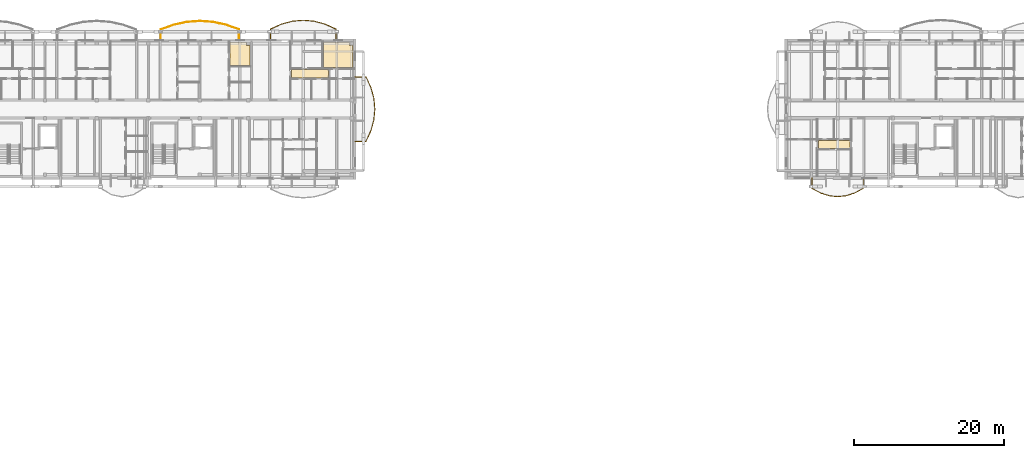
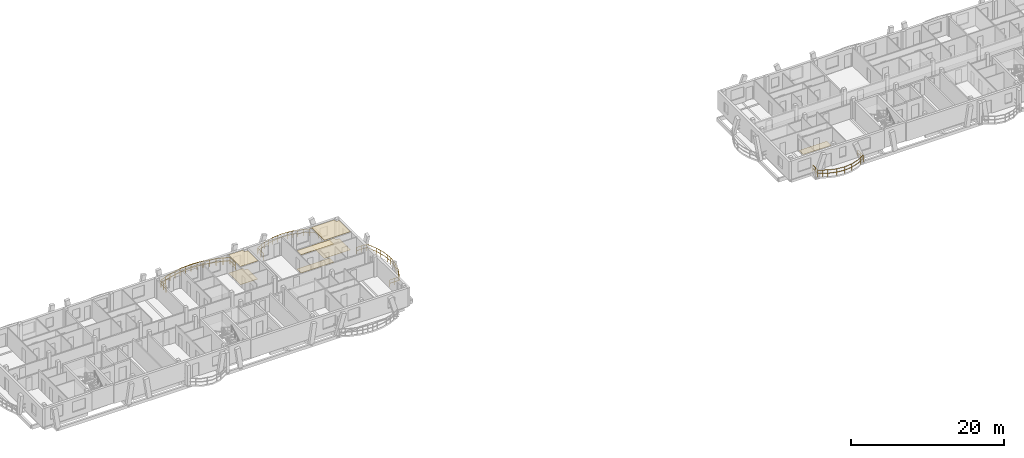
# One storey, part 45 of 52: 7 coverings, 4 railings.
"""IFC4 building model written with IfcOpenShell, lengths in metres."""

from ifc_helpers import new_model, si_unit, direction, frame, origin, origin_2d, place, context, subcontext, project, spatial, polyline, rectangle, outline, extrude, material, layer, layer_set, type_object, element, save


model = new_model("IFC4")

# Units and contexts
model_context = context("Model", 3, precision=1e-05, world=origin(), true_north=direction((0.0, 1.0)))
body_context = subcontext(model_context, "Body", "Model", "MODEL_VIEW")
ifc_project = project(units=[si_unit("LENGTHUNIT", "METRE"), si_unit("AREAUNIT", "SQUARE_METRE"), si_unit("VOLUMEUNIT", "CUBIC_METRE"), si_unit("PLANEANGLEUNIT", "RADIAN"), si_unit("MASSUNIT", "GRAM", prefix="KILO")], contexts=[model_context])

# Site, building, storey
site_placement = place(None, origin())
site = spatial("IfcSite", under=ifc_project, at=site_placement, CompositionType="ELEMENT")
building_placement = place(site_placement, origin())
building = spatial("IfcBuilding", under=site, at=building_placement, Name="Zavelmont Quarter", CompositionType="ELEMENT")
storey_placement = place(building_placement, frame((0.0, 0.0, 14.39990234375)))
storey = spatial("IfcBuildingStorey", under=building, at=storey_placement, Name="L04", CompositionType="ELEMENT", Elevation=14.39990234375)

# Coverings
ifc_material_1 = material(Name="Perforated acoustic gypsum board")
ifc_layer_1 = layer(ifc_material_1, 0.02490234375)
ifc_layer_set_1 = layer_set([ifc_layer_1], Name="Perforated acoustic gypsum board")
covering_type_1 = type_object("IfcCoveringType", Name="CV-CL01", PredefinedType="CEILING", material=ifc_layer_set_1)
covering_1_placement = place(storey_placement, frame((0.0, 0.0, 2.9150390625)))
element("IfcCovering", 1, at=covering_1_placement, inside=storey, type_object=covering_type_1, Name="L04 Single Bedroom acoustic ceiling", PredefinedType="CEILING", context=body_context, shape_type="SweptSolid", body=[
    extrude(outline(polyline([(38.530029296875, 115.719970703125), (40.695068359375, 115.719970703125), (40.695068359375, 115.294921875), (41.169921875, 115.294921875), (41.169921875, 112.6298828125), (38.530029296875, 112.6298828125), (38.530029296875, 115.719970703125)])), origin(), (0.0, 0.0, 1.0), 0.025146484375),
])
covering_2_placement = place(storey_placement, frame((0.0, 0.0, 2.9150390625)))
element("IfcCovering", 2, at=covering_2_placement, inside=storey, type_object=covering_type_1, Name="L04 Double Bedroom acoustic ceiling", PredefinedType="CEILING", context=body_context, shape_type="SweptSolid", body=[
    extrude(outline(polyline([(51.030029296875, 115.719970703125), (54.4951171875, 115.719970703125), (54.4951171875, 115.294921875), (54.969970703125, 115.294921875), (54.969970703125, 112.330078125), (51.030029296875, 112.330078125), (51.030029296875, 115.719970703125)])), origin(), (0.0, 0.0, 1.0), 0.025146484375),
])
ifc_material_2 = material(Name="Slatted European ash acoustic baffle ceiling")
ifc_layer_2 = layer(ifc_material_2, 0.0400390625)
ifc_layer_set_2 = layer_set([ifc_layer_2], Name="Slatted European ash acoustic baffle ceiling")
covering_type_2 = type_object("IfcCoveringType", Name="CV-CL02", PredefinedType="CEILING", material=ifc_layer_set_2)
covering_3_placement = place(storey_placement, frame((0.0, 0.0, 2.900146484375)))
element("IfcCovering", 3, at=covering_3_placement, inside=storey, type_object=covering_type_2, Name="L04 Apartment Hall acoustic ceiling", PredefinedType="CEILING", context=body_context, shape_type="SweptSolid", body=[
    extrude(outline(polyline([(46.72998046875, 112.070068359375), (51.669921875, 112.070068359375), (51.669921875, 110.97998046875), (46.72998046875, 110.97998046875), (46.72998046875, 112.070068359375)])), origin(), (0.0, 0.0, 1.0), 0.0400390625),
])
ifc_material_3 = material(Name="Engineered European oak parquet")
ifc_layer_3 = layer(ifc_material_3, 0.02197265625)
ifc_layer_set_3 = layer_set([ifc_layer_3], Name="Engineered European oak parquet")
covering_type_3 = type_object("IfcCoveringType", Name="CV-FL01", PredefinedType="FLOORING", material=ifc_layer_set_3)
covering_4_placement = place(storey_placement, origin())
element("IfcCovering", 4, at=covering_4_placement, inside=storey, type_object=covering_type_3, Name="L04 Single Bedroom floor finish", PredefinedType="FLOORING", context=body_context, shape_type="SweptSolid", body=[
    extrude(outline(polyline([(38.530029296875, 115.719970703125), (40.695068359375, 115.719970703125), (40.695068359375, 115.294921875), (41.169921875, 115.294921875), (41.169921875, 112.6298828125), (38.530029296875, 112.6298828125), (38.530029296875, 115.719970703125)])), origin(), (0.0, 0.0, 1.0), 0.022216796875),
])
covering_5_placement = place(storey_placement, origin())
element("IfcCovering", 5, at=covering_5_placement, inside=storey, type_object=covering_type_3, Name="L04 Double Bedroom floor finish", PredefinedType="FLOORING", context=body_context, shape_type="SweptSolid", body=[
    extrude(outline(polyline([(51.030029296875, 115.719970703125), (54.4951171875, 115.719970703125), (54.4951171875, 115.294921875), (54.969970703125, 115.294921875), (54.969970703125, 112.330078125), (51.030029296875, 112.330078125), (51.030029296875, 115.719970703125)])), origin(), (0.0, 0.0, 1.0), 0.022216796875),
])
ifc_material_4 = material(Name="Honed Belgian bluestone tile", Category="masonry")
ifc_layer_4 = layer(ifc_material_4, 0.030029296875)
ifc_layer_set_4 = layer_set([ifc_layer_4], Name="Honed Belgian bluestone tile")
covering_type_4 = type_object("IfcCoveringType", Name="CV-FL02", PredefinedType="FLOORING", material=ifc_layer_set_4)
covering_6_placement = place(storey_placement, origin())
element("IfcCovering", 6, at=covering_6_placement, inside=storey, type_object=covering_type_4, Name="L04 Apartment Hall floor finish", PredefinedType="FLOORING", context=body_context, shape_type="SweptSolid", body=[
    extrude(outline(polyline([(46.72998046875, 112.070068359375), (51.669921875, 112.070068359375), (51.669921875, 110.97998046875), (46.72998046875, 110.97998046875), (46.72998046875, 112.070068359375)])), origin(), (0.0, 0.0, 1.0), 0.030029296875),
])
covering_7_placement = place(storey_placement, origin())
element("IfcCovering", 7, at=covering_7_placement, inside=storey, type_object=covering_type_4, Name="L04 Apartment Hall floor finish", PredefinedType="FLOORING", context=body_context, shape_type="SweptSolid", body=[
    extrude(outline(polyline([(117.1298828125, 102.6201171875), (121.3701171875, 102.6201171875), (121.3701171875, 101.530029296875), (117.1298828125, 101.530029296875), (117.1298828125, 102.6201171875)])), origin(), (0.0, 0.0, 1.0), 0.030029296875),
])

# Railings
ifc_material_5 = material(Name="Powder-coated steel and tempered double safety glass", Category="steel")
railing_type = type_object("IfcRailingType", Name="RL-BAL1", PredefinedType="BALUSTRADE", material=ifc_material_5)
railing_1_placement = place(storey_placement, frame((39.734619140625, 116.02001953125, 0.0)))
element("IfcRailing", 8, at=railing_1_placement, inside=storey, type_object=railing_type, Name="L04 Block B curved balcony guard RL-BAL1", PredefinedType="BALUSTRADE", context=body_context, shape_type="SweptSolid", body=[
    extrude(rectangle(XDim=0.048095703125, YDim=0.048095703125, at=origin_2d()), frame((0.0, 0.0, 1.076171875), z_axis=(0.0, 1.0, 0.0), x_axis=(-1.0, 0.0, 0.0)), (0.0, 0.0, 1.0), 1.414794921875),
    extrude(rectangle(XDim=0.048095703125, YDim=0.048095703125, at=origin_2d()), frame((0.0, 0.0, 0.550048828125), z_axis=(0.0, 1.0, 0.0), x_axis=(-1.0, 0.0, 0.0)), (0.0, 0.0, 1.0), 1.414794921875),
    extrude(rectangle(XDim=0.048095703125, YDim=0.048095703125, at=origin_2d()), frame((0.0, 1.414794921875, 1.076171875), z_axis=(-0.941219365727, 0.33779595258, 0.0), x_axis=(-0.33779595258, -0.941219365727, 0.0)), (0.0, 0.0, 1.0), 1.853759765625),
    extrude(rectangle(XDim=0.048095703125, YDim=0.048095703125, at=origin_2d()), frame((0.0, 1.414794921875, 0.550048828125), z_axis=(-0.941219365727, 0.33779595258, 0.0), x_axis=(-0.33779595258, -0.941219365727, 0.0)), (0.0, 0.0, 1.0), 1.853759765625),
    extrude(rectangle(XDim=0.048095703125, YDim=0.048095703125, at=origin_2d()), frame((-1.744873046875, 2.041015625, 1.076171875), z_axis=(-0.977591742597, 0.210509821164, 0.0), x_axis=(-0.210509821164, -0.977591742597, 0.0)), (0.0, 0.0, 1.0), 1.784912109375),
    extrude(rectangle(XDim=0.048095703125, YDim=0.048095703125, at=origin_2d()), frame((-1.744873046875, 2.041015625, 0.550048828125), z_axis=(-0.977591742597, 0.210509821164, 0.0), x_axis=(-0.210509821164, -0.977591742597, 0.0)), (0.0, 0.0, 1.0), 1.784912109375),
    extrude(rectangle(XDim=0.048095703125, YDim=0.048095703125, at=origin_2d()), frame((-3.48974609375, 2.416748046875, 1.076171875), z_axis=(-0.997433844541, 0.071594174094, 0.0), x_axis=(-0.071594174094, -0.997433844541, 0.0)), (0.0, 0.0, 1.0), 1.749267578125),
    extrude(rectangle(XDim=0.048095703125, YDim=0.048095703125, at=origin_2d()), frame((-3.48974609375, 2.416748046875, 0.550048828125), z_axis=(-0.997433844541, 0.071594174094, 0.0), x_axis=(-0.071594174094, -0.997433844541, 0.0)), (0.0, 0.0, 1.0), 1.749267578125),
    extrude(rectangle(XDim=0.048095703125, YDim=0.048095703125, at=origin_2d()), frame((-5.234619140625, 2.5419921875, 1.076171875), z_axis=(-0.997433844541, -0.071594174094, 0.0), x_axis=(0.071594174094, -0.997433844541, 0.0)), (0.0, 0.0, 1.0), 1.749267578125),
    extrude(rectangle(XDim=0.048095703125, YDim=0.048095703125, at=origin_2d()), frame((-5.234619140625, 2.5419921875, 0.550048828125), z_axis=(-0.997433844541, -0.071594174094, 0.0), x_axis=(0.071594174094, -0.997433844541, 0.0)), (0.0, 0.0, 1.0), 1.749267578125),
    extrude(rectangle(XDim=0.048095703125, YDim=0.048095703125, at=origin_2d()), frame((-6.9794921875, 2.416748046875, 1.076171875), z_axis=(-0.977591742597, -0.210509821164, 0.0), x_axis=(0.210509821164, -0.977591742597, 0.0)), (0.0, 0.0, 1.0), 1.784912109375),
    extrude(rectangle(XDim=0.048095703125, YDim=0.048095703125, at=origin_2d()), frame((-6.9794921875, 2.416748046875, 0.550048828125), z_axis=(-0.977591742597, -0.210509821164, 0.0), x_axis=(0.210509821164, -0.977591742597, 0.0)), (0.0, 0.0, 1.0), 1.784912109375),
    extrude(rectangle(XDim=0.048095703125, YDim=0.048095703125, at=origin_2d()), frame((-8.724365234375, 2.041015625, 1.076171875), z_axis=(-0.941219365727, -0.33779595258, 0.0), x_axis=(0.33779595258, -0.941219365727, 0.0)), (0.0, 0.0, 1.0), 1.853759765625),
    extrude(rectangle(XDim=0.048095703125, YDim=0.048095703125, at=origin_2d()), frame((-8.724365234375, 2.041015625, 0.550048828125), z_axis=(-0.941219365727, -0.33779595258, 0.0), x_axis=(0.33779595258, -0.941219365727, 0.0)), (0.0, 0.0, 1.0), 1.853759765625),
    extrude(rectangle(XDim=0.048095703125, YDim=0.048095703125, at=origin_2d()), frame((-10.46923828125, 1.414794921875, 1.076171875), z_axis=(0.0, -1.0, 0.0), x_axis=(1.0, 0.0, 0.0)), (0.0, 0.0, 1.0), 1.414794921875),
    extrude(rectangle(XDim=0.048095703125, YDim=0.048095703125, at=origin_2d()), frame((-10.46923828125, 1.414794921875, 0.550048828125), z_axis=(0.0, -1.0, 0.0), x_axis=(1.0, 0.0, 0.0)), (0.0, 0.0, 1.0), 1.414794921875),
    extrude(rectangle(XDim=0.0419921875, YDim=0.0419921875, at=origin_2d()), origin(), (0.0, 0.0, 1.0), 1.052001953125),
    extrude(rectangle(XDim=0.0419921875, YDim=0.0419921875, at=origin_2d()), frame((0.0, 0.70751953125, 0.0)), (0.0, 0.0, 1.0), 1.052001953125),
    extrude(rectangle(XDim=0.0419921875, YDim=0.0419921875, at=origin_2d()), frame((0.0, 1.414794921875, 0.0)), (0.0, 0.0, 1.0), 1.052001953125),
    extrude(rectangle(XDim=0.0419921875, YDim=0.0419921875, at=origin_2d()), frame((-0.87255859375, 1.72802734375, 0.0)), (0.0, 0.0, 1.0), 1.052001953125),
    extrude(rectangle(XDim=0.0419921875, YDim=0.0419921875, at=origin_2d()), frame((-1.744873046875, 2.041015625, 0.0)), (0.0, 0.0, 1.0), 1.052001953125),
    extrude(rectangle(XDim=0.0419921875, YDim=0.0419921875, at=origin_2d()), frame((-2.6171875, 2.22900390625, 0.0)), (0.0, 0.0, 1.0), 1.052001953125),
    extrude(rectangle(XDim=0.0419921875, YDim=0.0419921875, at=origin_2d()), frame((-3.48974609375, 2.416748046875, 0.0)), (0.0, 0.0, 1.0), 1.052001953125),
    extrude(rectangle(XDim=0.0419921875, YDim=0.0419921875, at=origin_2d()), frame((-4.3623046875, 2.4794921875, 0.0)), (0.0, 0.0, 1.0), 1.052001953125),
    extrude(rectangle(XDim=0.0419921875, YDim=0.0419921875, at=origin_2d()), frame((-5.234619140625, 2.5419921875, 0.0)), (0.0, 0.0, 1.0), 1.052001953125),
    extrude(rectangle(XDim=0.0419921875, YDim=0.0419921875, at=origin_2d()), frame((-6.10693359375, 2.4794921875, 0.0)), (0.0, 0.0, 1.0), 1.052001953125),
    extrude(rectangle(XDim=0.0419921875, YDim=0.0419921875, at=origin_2d()), frame((-6.9794921875, 2.416748046875, 0.0)), (0.0, 0.0, 1.0), 1.052001953125),
    extrude(rectangle(XDim=0.0419921875, YDim=0.0419921875, at=origin_2d()), frame((-7.85205078125, 2.22900390625, 0.0)), (0.0, 0.0, 1.0), 1.052001953125),
    extrude(rectangle(XDim=0.0419921875, YDim=0.0419921875, at=origin_2d()), frame((-8.724365234375, 2.041015625, 0.0)), (0.0, 0.0, 1.0), 1.052001953125),
    extrude(rectangle(XDim=0.0419921875, YDim=0.0419921875, at=origin_2d()), frame((-9.5966796875, 1.72802734375, 0.0)), (0.0, 0.0, 1.0), 1.052001953125),
    extrude(rectangle(XDim=0.0419921875, YDim=0.0419921875, at=origin_2d()), frame((-10.46923828125, 1.414794921875, 0.0)), (0.0, 0.0, 1.0), 1.052001953125),
    extrude(rectangle(XDim=0.0419921875, YDim=0.0419921875, at=origin_2d()), frame((-10.46923828125, 0.70751953125, 0.0)), (0.0, 0.0, 1.0), 1.052001953125),
    extrude(rectangle(XDim=0.0419921875, YDim=0.0419921875, at=origin_2d()), frame((-10.46923828125, 0.0, 0.0)), (0.0, 0.0, 1.0), 1.052001953125),
])
railing_2_placement = place(storey_placement, frame((52.672119140625, 116.02001953125, 0.0)))
element("IfcRailing", 9, at=railing_2_placement, inside=storey, type_object=railing_type, Name="L04 Block B curved balcony guard RL-BAL1", PredefinedType="BALUSTRADE", context=body_context, shape_type="SweptSolid", body=[
    extrude(rectangle(XDim=0.048095703125, YDim=0.048095703125, at=origin_2d()), frame((0.0, 0.0, 1.076171875), z_axis=(0.0, 1.0, 0.0), x_axis=(-1.0, 0.0, 0.0)), (0.0, 0.0, 1.0), 1.4814453125),
    extrude(rectangle(XDim=0.048095703125, YDim=0.048095703125, at=origin_2d()), frame((0.0, 0.0, 0.550048828125), z_axis=(0.0, 1.0, 0.0), x_axis=(-1.0, 0.0, 0.0)), (0.0, 0.0, 1.0), 1.4814453125),
    extrude(rectangle(XDim=0.048095703125, YDim=0.048095703125, at=origin_2d()), frame((0.0, 1.4814453125, 1.076171875), z_axis=(-0.912064378285, 0.410047033721, 0.0), x_axis=(-0.410047033721, -0.912064378285, 0.0)), (0.0, 0.0, 1.0), 1.59814453125),
    extrude(rectangle(XDim=0.048095703125, YDim=0.048095703125, at=origin_2d()), frame((0.0, 1.4814453125, 0.550048828125), z_axis=(-0.912064378285, 0.410047033721, 0.0), x_axis=(-0.410047033721, -0.912064378285, 0.0)), (0.0, 0.0, 1.0), 1.59814453125),
    extrude(rectangle(XDim=0.048095703125, YDim=0.048095703125, at=origin_2d()), frame((-1.45751953125, 2.13671875, 1.076171875), z_axis=(-0.965495401256, 0.260420103204, 0.0), x_axis=(-0.260420103204, -0.965495401256, 0.0)), (0.0, 0.0, 1.0), 1.50927734375),
    extrude(rectangle(XDim=0.048095703125, YDim=0.048095703125, at=origin_2d()), frame((-1.45751953125, 2.13671875, 0.550048828125), z_axis=(-0.965495401256, 0.260420103204, 0.0), x_axis=(-0.260420103204, -0.965495401256, 0.0)), (0.0, 0.0, 1.0), 1.50927734375),
    extrude(rectangle(XDim=0.048095703125, YDim=0.048095703125, at=origin_2d()), frame((-2.914794921875, 2.52978515625, 1.076171875), z_axis=(-0.995977566521, 0.089602940731, 0.0), x_axis=(-0.089602940731, -0.995977566521, 0.0)), (0.0, 0.0, 1.0), 1.463134765625),
    extrude(rectangle(XDim=0.048095703125, YDim=0.048095703125, at=origin_2d()), frame((-2.914794921875, 2.52978515625, 0.550048828125), z_axis=(-0.995977566521, 0.089602940731, 0.0), x_axis=(-0.089602940731, -0.995977566521, 0.0)), (0.0, 0.0, 1.0), 1.463134765625),
    extrude(rectangle(XDim=0.048095703125, YDim=0.048095703125, at=origin_2d()), frame((-4.3720703125, 2.660888671875, 1.076171875), z_axis=(-0.995977566521, -0.089602940731, 0.0), x_axis=(0.089602940731, -0.995977566521, 0.0)), (0.0, 0.0, 1.0), 1.463134765625),
    extrude(rectangle(XDim=0.048095703125, YDim=0.048095703125, at=origin_2d()), frame((-4.3720703125, 2.660888671875, 0.550048828125), z_axis=(-0.995977566521, -0.089602940731, 0.0), x_axis=(0.089602940731, -0.995977566521, 0.0)), (0.0, 0.0, 1.0), 1.463134765625),
    extrude(rectangle(XDim=0.048095703125, YDim=0.048095703125, at=origin_2d()), frame((-5.829345703125, 2.52978515625, 1.076171875), z_axis=(-0.96550636846, -0.260379439401, 0.0), x_axis=(0.260379439401, -0.96550636846, 0.0)), (0.0, 0.0, 1.0), 1.509521484375),
    extrude(rectangle(XDim=0.048095703125, YDim=0.048095703125, at=origin_2d()), frame((-5.829345703125, 2.52978515625, 0.550048828125), z_axis=(-0.96550636846, -0.260379439401, 0.0), x_axis=(0.260379439401, -0.96550636846, 0.0)), (0.0, 0.0, 1.0), 1.509521484375),
    extrude(rectangle(XDim=0.048095703125, YDim=0.048095703125, at=origin_2d()), frame((-7.286865234375, 2.13671875, 1.076171875), z_axis=(-0.912038685612, -0.410104176945, 0.0), x_axis=(0.410104176945, -0.912038685612, 0.0)), (0.0, 0.0, 1.0), 1.597900390625),
    extrude(rectangle(XDim=0.048095703125, YDim=0.048095703125, at=origin_2d()), frame((-7.286865234375, 2.13671875, 0.550048828125), z_axis=(-0.912038685612, -0.410104176945, 0.0), x_axis=(0.410104176945, -0.912038685612, 0.0)), (0.0, 0.0, 1.0), 1.597900390625),
    extrude(rectangle(XDim=0.048095703125, YDim=0.048095703125, at=origin_2d()), frame((-8.744140625, 1.4814453125, 1.076171875), z_axis=(0.0, -1.0, 0.0), x_axis=(1.0, 0.0, 0.0)), (0.0, 0.0, 1.0), 1.4814453125),
    extrude(rectangle(XDim=0.048095703125, YDim=0.048095703125, at=origin_2d()), frame((-8.744140625, 1.4814453125, 0.550048828125), z_axis=(0.0, -1.0, 0.0), x_axis=(1.0, 0.0, 0.0)), (0.0, 0.0, 1.0), 1.4814453125),
    extrude(rectangle(XDim=0.0419921875, YDim=0.0419921875, at=origin_2d()), origin(), (0.0, 0.0, 1.0), 1.052001953125),
    extrude(rectangle(XDim=0.0419921875, YDim=0.0419921875, at=origin_2d()), frame((0.0, 0.74072265625, 0.0)), (0.0, 0.0, 1.0), 1.052001953125),
    extrude(rectangle(XDim=0.0419921875, YDim=0.0419921875, at=origin_2d()), frame((0.0, 1.4814453125, 0.0)), (0.0, 0.0, 1.0), 1.052001953125),
    extrude(rectangle(XDim=0.0419921875, YDim=0.0419921875, at=origin_2d()), frame((-0.728759765625, 1.80908203125, 0.0)), (0.0, 0.0, 1.0), 1.052001953125),
    extrude(rectangle(XDim=0.0419921875, YDim=0.0419921875, at=origin_2d()), frame((-1.45751953125, 2.13671875, 0.0)), (0.0, 0.0, 1.0), 1.052001953125),
    extrude(rectangle(XDim=0.0419921875, YDim=0.0419921875, at=origin_2d()), frame((-2.18603515625, 2.333251953125, 0.0)), (0.0, 0.0, 1.0), 1.052001953125),
    extrude(rectangle(XDim=0.0419921875, YDim=0.0419921875, at=origin_2d()), frame((-2.914794921875, 2.52978515625, 0.0)), (0.0, 0.0, 1.0), 1.052001953125),
    extrude(rectangle(XDim=0.0419921875, YDim=0.0419921875, at=origin_2d()), frame((-3.6435546875, 2.59521484375, 0.0)), (0.0, 0.0, 1.0), 1.052001953125),
    extrude(rectangle(XDim=0.0419921875, YDim=0.0419921875, at=origin_2d()), frame((-4.3720703125, 2.660888671875, 0.0)), (0.0, 0.0, 1.0), 1.052001953125),
    extrude(rectangle(XDim=0.0419921875, YDim=0.0419921875, at=origin_2d()), frame((-5.1005859375, 2.59521484375, 0.0)), (0.0, 0.0, 1.0), 1.052001953125),
    extrude(rectangle(XDim=0.0419921875, YDim=0.0419921875, at=origin_2d()), frame((-5.829345703125, 2.52978515625, 0.0)), (0.0, 0.0, 1.0), 1.052001953125),
    extrude(rectangle(XDim=0.0419921875, YDim=0.0419921875, at=origin_2d()), frame((-6.55810546875, 2.333251953125, 0.0)), (0.0, 0.0, 1.0), 1.052001953125),
    extrude(rectangle(XDim=0.0419921875, YDim=0.0419921875, at=origin_2d()), frame((-7.286865234375, 2.13671875, 0.0)), (0.0, 0.0, 1.0), 1.052001953125),
    extrude(rectangle(XDim=0.0419921875, YDim=0.0419921875, at=origin_2d()), frame((-8.015625, 1.80908203125, 0.0)), (0.0, 0.0, 1.0), 1.052001953125),
    extrude(rectangle(XDim=0.0419921875, YDim=0.0419921875, at=origin_2d()), frame((-8.744140625, 1.4814453125, 0.0)), (0.0, 0.0, 1.0), 1.052001953125),
    extrude(rectangle(XDim=0.0419921875, YDim=0.0419921875, at=origin_2d()), frame((-8.744140625, 0.74072265625, 0.0)), (0.0, 0.0, 1.0), 1.052001953125),
    extrude(rectangle(XDim=0.0419921875, YDim=0.0419921875, at=origin_2d()), frame((-8.744140625, 0.0, 0.0)), (0.0, 0.0, 1.0), 1.052001953125),
])
railing_3_placement = place(storey_placement, frame((55.219970703125, 102.495849609375, 0.0)))
element("IfcRailing", 10, at=railing_3_placement, inside=storey, type_object=railing_type, Name="L04 Block B curved balcony guard RL-BAL1", PredefinedType="BALUSTRADE", context=body_context, shape_type="SweptSolid", body=[
    extrude(rectangle(XDim=0.048095703125, YDim=0.048095703125, at=origin_2d()), frame((0.0, 0.0, 1.076171875), z_axis=(1.0, 0.0, 0.0), x_axis=(0.0, 1.0, 0.0)), (0.0, 0.0, 1.0), 1.4814453125),
    extrude(rectangle(XDim=0.048095703125, YDim=0.048095703125, at=origin_2d()), frame((0.0, 0.0, 0.550048828125), z_axis=(1.0, 0.0, 0.0), x_axis=(0.0, 1.0, 0.0)), (0.0, 0.0, 1.0), 1.4814453125),
    extrude(rectangle(XDim=0.048095703125, YDim=0.048095703125, at=origin_2d()), frame((1.4814453125, 0.0, 1.076171875), z_axis=(0.415423213216, 0.909628250398, 0.0), x_axis=(-0.909628250398, 0.415423213216, 0.0)), (0.0, 0.0, 1.0), 1.577392578125),
    extrude(rectangle(XDim=0.048095703125, YDim=0.048095703125, at=origin_2d()), frame((1.4814453125, 0.0, 0.550048828125), z_axis=(0.415423213216, 0.909628250398, 0.0), x_axis=(-0.909628250398, 0.415423213216, 0.0)), (0.0, 0.0, 1.0), 1.577392578125),
    extrude(rectangle(XDim=0.048095703125, YDim=0.048095703125, at=origin_2d()), frame((2.13671875, 1.434814453125, 1.076171875), z_axis=(0.264408723873, 0.964410714758, 0.0), x_axis=(-0.964410714758, 0.264408723873, 0.0)), (0.0, 0.0, 1.0), 1.487548828125),
    extrude(rectangle(XDim=0.048095703125, YDim=0.048095703125, at=origin_2d()), frame((2.13671875, 1.434814453125, 0.550048828125), z_axis=(0.264408723873, 0.964410714758, 0.0), x_axis=(-0.964410714758, 0.264408723873, 0.0)), (0.0, 0.0, 1.0), 1.487548828125),
    extrude(rectangle(XDim=0.048095703125, YDim=0.048095703125, at=origin_2d()), frame((2.530029296875, 2.869384765625, 1.076171875), z_axis=(0.090994081953, 0.995851433222, 0.0), x_axis=(-0.995851433222, 0.090994081953, 0.0)), (0.0, 0.0, 1.0), 1.440673828125),
    extrude(rectangle(XDim=0.048095703125, YDim=0.048095703125, at=origin_2d()), frame((2.530029296875, 2.869384765625, 0.550048828125), z_axis=(0.090994081953, 0.995851433222, 0.0), x_axis=(-0.995851433222, 0.090994081953, 0.0)), (0.0, 0.0, 1.0), 1.440673828125),
    extrude(rectangle(XDim=0.048095703125, YDim=0.048095703125, at=origin_2d()), frame((2.6611328125, 4.30419921875, 1.076171875), z_axis=(-0.091009439419, 0.995850029842, 0.0), x_axis=(-0.995850029842, -0.091009439419, 0.0)), (0.0, 0.0, 1.0), 1.4404296875),
    extrude(rectangle(XDim=0.048095703125, YDim=0.048095703125, at=origin_2d()), frame((2.6611328125, 4.30419921875, 0.550048828125), z_axis=(-0.091009439419, 0.995850029842, 0.0), x_axis=(-0.995850029842, -0.091009439419, 0.0)), (0.0, 0.0, 1.0), 1.4404296875),
    extrude(rectangle(XDim=0.048095703125, YDim=0.048095703125, at=origin_2d()), frame((2.530029296875, 5.73876953125, 1.076171875), z_axis=(-0.264366878071, 0.964422186482, 0.0), x_axis=(-0.964422186482, -0.264366878071, 0.0)), (0.0, 0.0, 1.0), 1.48779296875),
    extrude(rectangle(XDim=0.048095703125, YDim=0.048095703125, at=origin_2d()), frame((2.530029296875, 5.73876953125, 0.550048828125), z_axis=(-0.264366878071, 0.964422186482, 0.0), x_axis=(-0.964422186482, -0.264366878071, 0.0)), (0.0, 0.0, 1.0), 1.48779296875),
    extrude(rectangle(XDim=0.048095703125, YDim=0.048095703125, at=origin_2d()), frame((2.13671875, 7.173583984375, 1.076171875), z_axis=(-0.415481708077, 0.909601533779, 0.0), x_axis=(-0.909601533779, -0.415481708077, 0.0)), (0.0, 0.0, 1.0), 1.5771484375),
    extrude(rectangle(XDim=0.048095703125, YDim=0.048095703125, at=origin_2d()), frame((2.13671875, 7.173583984375, 0.550048828125), z_axis=(-0.415481708077, 0.909601533779, 0.0), x_axis=(-0.909601533779, -0.415481708077, 0.0)), (0.0, 0.0, 1.0), 1.5771484375),
    extrude(rectangle(XDim=0.048095703125, YDim=0.048095703125, at=origin_2d()), frame((1.4814453125, 8.608154296875, 1.076171875), z_axis=(-1.0, 0.0, 0.0), x_axis=(0.0, -1.0, 0.0)), (0.0, 0.0, 1.0), 1.4814453125),
    extrude(rectangle(XDim=0.048095703125, YDim=0.048095703125, at=origin_2d()), frame((1.4814453125, 8.608154296875, 0.550048828125), z_axis=(-1.0, 0.0, 0.0), x_axis=(0.0, -1.0, 0.0)), (0.0, 0.0, 1.0), 1.4814453125),
    extrude(rectangle(XDim=0.0419921875, YDim=0.0419921875, at=origin_2d()), origin(), (0.0, 0.0, 1.0), 1.052001953125),
    extrude(rectangle(XDim=0.0419921875, YDim=0.0419921875, at=origin_2d()), frame((0.74072265625, 0.0, 0.0)), (0.0, 0.0, 1.0), 1.052001953125),
    extrude(rectangle(XDim=0.0419921875, YDim=0.0419921875, at=origin_2d()), frame((1.4814453125, 0.0, 0.0)), (0.0, 0.0, 1.0), 1.052001953125),
    extrude(rectangle(XDim=0.0419921875, YDim=0.0419921875, at=origin_2d()), frame((1.80908203125, 0.71728515625, 0.0)), (0.0, 0.0, 1.0), 1.052001953125),
    extrude(rectangle(XDim=0.0419921875, YDim=0.0419921875, at=origin_2d()), frame((2.13671875, 1.434814453125, 0.0)), (0.0, 0.0, 1.0), 1.052001953125),
    extrude(rectangle(XDim=0.0419921875, YDim=0.0419921875, at=origin_2d()), frame((2.33349609375, 2.152099609375, 0.0)), (0.0, 0.0, 1.0), 1.052001953125),
    extrude(rectangle(XDim=0.0419921875, YDim=0.0419921875, at=origin_2d()), frame((2.530029296875, 2.869384765625, 0.0)), (0.0, 0.0, 1.0), 1.052001953125),
    extrude(rectangle(XDim=0.0419921875, YDim=0.0419921875, at=origin_2d()), frame((2.595703125, 3.5869140625, 0.0)), (0.0, 0.0, 1.0), 1.052001953125),
    extrude(rectangle(XDim=0.0419921875, YDim=0.0419921875, at=origin_2d()), frame((2.6611328125, 4.30419921875, 0.0)), (0.0, 0.0, 1.0), 1.052001953125),
    extrude(rectangle(XDim=0.0419921875, YDim=0.0419921875, at=origin_2d()), frame((2.595703125, 5.021484375, 0.0)), (0.0, 0.0, 1.0), 1.052001953125),
    extrude(rectangle(XDim=0.0419921875, YDim=0.0419921875, at=origin_2d()), frame((2.530029296875, 5.73876953125, 0.0)), (0.0, 0.0, 1.0), 1.052001953125),
    extrude(rectangle(XDim=0.0419921875, YDim=0.0419921875, at=origin_2d()), frame((2.33349609375, 6.4560546875, 0.0)), (0.0, 0.0, 1.0), 1.052001953125),
    extrude(rectangle(XDim=0.0419921875, YDim=0.0419921875, at=origin_2d()), frame((2.13671875, 7.173583984375, 0.0)), (0.0, 0.0, 1.0), 1.052001953125),
    extrude(rectangle(XDim=0.0419921875, YDim=0.0419921875, at=origin_2d()), frame((1.80908203125, 7.890869140625, 0.0)), (0.0, 0.0, 1.0), 1.052001953125),
    extrude(rectangle(XDim=0.0419921875, YDim=0.0419921875, at=origin_2d()), frame((1.4814453125, 8.608154296875, 0.0)), (0.0, 0.0, 1.0), 1.052001953125),
    extrude(rectangle(XDim=0.0419921875, YDim=0.0419921875, at=origin_2d()), frame((0.74072265625, 8.608154296875, 0.0)), (0.0, 0.0, 1.0), 1.052001953125),
    extrude(rectangle(XDim=0.0419921875, YDim=0.0419921875, at=origin_2d()), frame((0.0, 8.608154296875, 0.0)), (0.0, 0.0, 1.0), 1.052001953125),
])
railing_4_placement = place(storey_placement, frame((116.279296875, 97.580078125, 0.0)))
element("IfcRailing", 11, at=railing_4_placement, inside=storey, type_object=railing_type, Name="L04 Block C curved balcony guard RL-BAL1", PredefinedType="BALUSTRADE", context=body_context, shape_type="SweptSolid", body=[
    extrude(rectangle(XDim=0.048095703125, YDim=0.048095703125, at=origin_2d()), frame((0.0, 0.0, 1.076171875), z_axis=(0.0, -1.0, 0.0), x_axis=(1.0, 0.0, 0.0)), (0.0, 0.0, 1.0), 1.381103515625),
    extrude(rectangle(XDim=0.048095703125, YDim=0.048095703125, at=origin_2d()), frame((0.0, 0.0, 0.550048828125), z_axis=(0.0, -1.0, 0.0), x_axis=(1.0, 0.0, 0.0)), (0.0, 0.0, 1.0), 1.381103515625),
    extrude(rectangle(XDim=0.048095703125, YDim=0.048095703125, at=origin_2d()), frame((0.0, -1.381103515625, 1.076171875), z_axis=(0.881269523983, -0.47261403502, 0.0), x_axis=(0.47261403502, 0.881269523983, 0.0)), (0.0, 0.0, 1.0), 1.2939453125),
    extrude(rectangle(XDim=0.048095703125, YDim=0.048095703125, at=origin_2d()), frame((0.0, -1.381103515625, 0.550048828125), z_axis=(0.881269523983, -0.47261403502, 0.0), x_axis=(0.47261403502, 0.881269523983, 0.0)), (0.0, 0.0, 1.0), 1.2939453125),
    extrude(rectangle(XDim=0.048095703125, YDim=0.048095703125, at=origin_2d()), frame((1.140380859375, -1.99267578125, 1.076171875), z_axis=(0.951854509819, -0.306550146203, 0.0), x_axis=(0.306550146203, 0.951854509819, 0.0)), (0.0, 0.0, 1.0), 1.19775390625),
    extrude(rectangle(XDim=0.048095703125, YDim=0.048095703125, at=origin_2d()), frame((1.140380859375, -1.99267578125, 0.550048828125), z_axis=(0.951854509819, -0.306550146203, 0.0), x_axis=(0.306550146203, 0.951854509819, 0.0)), (0.0, 0.0, 1.0), 1.19775390625),
    extrude(rectangle(XDim=0.048095703125, YDim=0.048095703125, at=origin_2d()), frame((2.280517578125, -2.35986328125, 1.076171875), z_axis=(0.994294646355, -0.106668440647, 0.0), x_axis=(0.106668440647, 0.994294646355, 0.0)), (0.0, 0.0, 1.0), 1.146728515625),
    extrude(rectangle(XDim=0.048095703125, YDim=0.048095703125, at=origin_2d()), frame((2.280517578125, -2.35986328125, 0.550048828125), z_axis=(0.994294646355, -0.106668440647, 0.0), x_axis=(0.106668440647, 0.994294646355, 0.0)), (0.0, 0.0, 1.0), 1.146728515625),
    extrude(rectangle(XDim=0.048095703125, YDim=0.048095703125, at=origin_2d()), frame((3.420654296875, -2.482177734375, 1.076171875), z_axis=(0.994294646355, 0.106668440647, 0.0), x_axis=(-0.106668440647, 0.994294646355, 0.0)), (0.0, 0.0, 1.0), 1.146728515625),
    extrude(rectangle(XDim=0.048095703125, YDim=0.048095703125, at=origin_2d()), frame((3.420654296875, -2.482177734375, 0.550048828125), z_axis=(0.994294646355, 0.106668440647, 0.0), x_axis=(-0.106668440647, 0.994294646355, 0.0)), (0.0, 0.0, 1.0), 1.146728515625),
    extrude(rectangle(XDim=0.048095703125, YDim=0.048095703125, at=origin_2d()), frame((4.560791015625, -2.35986328125, 1.076171875), z_axis=(0.951873658126, 0.306490683327, 0.0), x_axis=(-0.306490683327, 0.951873658126, 0.0)), (0.0, 0.0, 1.0), 1.197998046875),
    extrude(rectangle(XDim=0.048095703125, YDim=0.048095703125, at=origin_2d()), frame((4.560791015625, -2.35986328125, 0.550048828125), z_axis=(0.951873658126, 0.306490683327, 0.0), x_axis=(-0.306490683327, 0.951873658126, 0.0)), (0.0, 0.0, 1.0), 1.197998046875),
    extrude(rectangle(XDim=0.048095703125, YDim=0.048095703125, at=origin_2d()), frame((5.701171875, -1.99267578125, 1.076171875), z_axis=(0.881227371765, 0.472692626611, 0.0), x_axis=(-0.472692626611, 0.881227371765, 0.0)), (0.0, 0.0, 1.0), 1.293701171875),
    extrude(rectangle(XDim=0.048095703125, YDim=0.048095703125, at=origin_2d()), frame((5.701171875, -1.99267578125, 0.550048828125), z_axis=(0.881227371765, 0.472692626611, 0.0), x_axis=(-0.472692626611, 0.881227371765, 0.0)), (0.0, 0.0, 1.0), 1.293701171875),
    extrude(rectangle(XDim=0.048095703125, YDim=0.048095703125, at=origin_2d()), frame((6.84130859375, -1.381103515625, 1.076171875), z_axis=(0.0, 1.0, 0.0), x_axis=(-1.0, 0.0, 0.0)), (0.0, 0.0, 1.0), 1.381103515625),
    extrude(rectangle(XDim=0.048095703125, YDim=0.048095703125, at=origin_2d()), frame((6.84130859375, -1.381103515625, 0.550048828125), z_axis=(0.0, 1.0, 0.0), x_axis=(-1.0, 0.0, 0.0)), (0.0, 0.0, 1.0), 1.381103515625),
    extrude(rectangle(XDim=0.0419921875, YDim=0.0419921875, at=origin_2d()), origin(), (0.0, 0.0, 1.0), 1.052001953125),
    extrude(rectangle(XDim=0.0419921875, YDim=0.0419921875, at=origin_2d()), frame((0.0, -0.6904296875, 0.0)), (0.0, 0.0, 1.0), 1.052001953125),
    extrude(rectangle(XDim=0.0419921875, YDim=0.0419921875, at=origin_2d()), frame((0.0, -1.381103515625, 0.0)), (0.0, 0.0, 1.0), 1.052001953125),
    extrude(rectangle(XDim=0.0419921875, YDim=0.0419921875, at=origin_2d()), frame((0.5703125, -1.68701171875, 0.0)), (0.0, 0.0, 1.0), 1.052001953125),
    extrude(rectangle(XDim=0.0419921875, YDim=0.0419921875, at=origin_2d()), frame((1.140380859375, -1.99267578125, 0.0)), (0.0, 0.0, 1.0), 1.052001953125),
    extrude(rectangle(XDim=0.0419921875, YDim=0.0419921875, at=origin_2d()), frame((2.280517578125, -2.35986328125, 0.0)), (0.0, 0.0, 1.0), 1.052001953125),
    extrude(rectangle(XDim=0.0419921875, YDim=0.0419921875, at=origin_2d()), frame((3.420654296875, -2.482177734375, 0.0)), (0.0, 0.0, 1.0), 1.052001953125),
    extrude(rectangle(XDim=0.0419921875, YDim=0.0419921875, at=origin_2d()), frame((4.560791015625, -2.35986328125, 0.0)), (0.0, 0.0, 1.0), 1.052001953125),
    extrude(rectangle(XDim=0.0419921875, YDim=0.0419921875, at=origin_2d()), frame((5.701171875, -1.99267578125, 0.0)), (0.0, 0.0, 1.0), 1.052001953125),
    extrude(rectangle(XDim=0.0419921875, YDim=0.0419921875, at=origin_2d()), frame((6.271240234375, -1.68701171875, 0.0)), (0.0, 0.0, 1.0), 1.052001953125),
    extrude(rectangle(XDim=0.0419921875, YDim=0.0419921875, at=origin_2d()), frame((6.84130859375, -1.381103515625, 0.0)), (0.0, 0.0, 1.0), 1.052001953125),
    extrude(rectangle(XDim=0.0419921875, YDim=0.0419921875, at=origin_2d()), frame((6.84130859375, -0.6904296875, 0.0)), (0.0, 0.0, 1.0), 1.052001953125),
    extrude(rectangle(XDim=0.0419921875, YDim=0.0419921875, at=origin_2d()), frame((6.84130859375, 0.0, 0.0)), (0.0, 0.0, 1.0), 1.052001953125),
])

save(model, "model.ifc")
